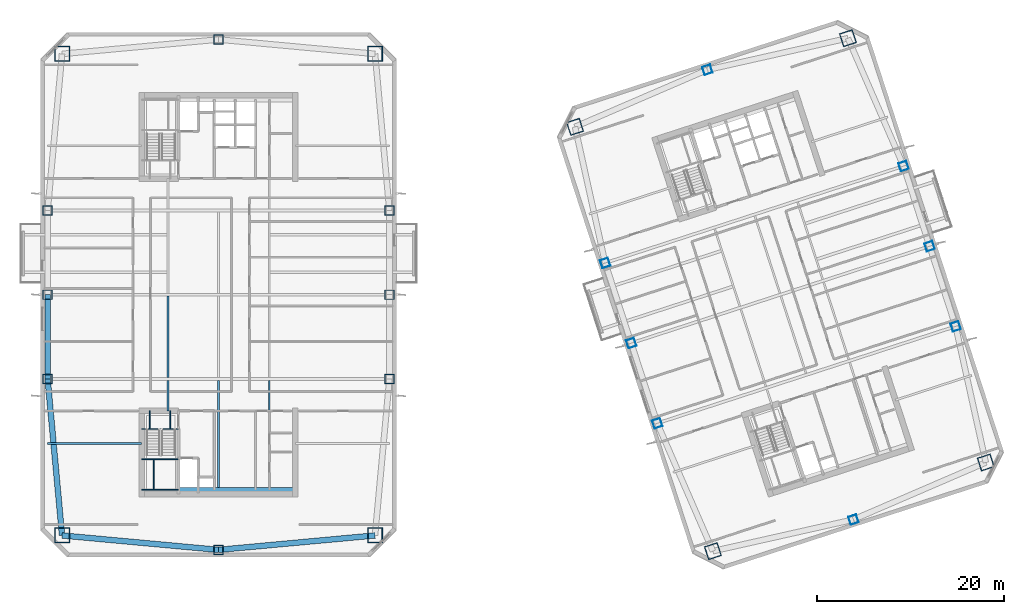
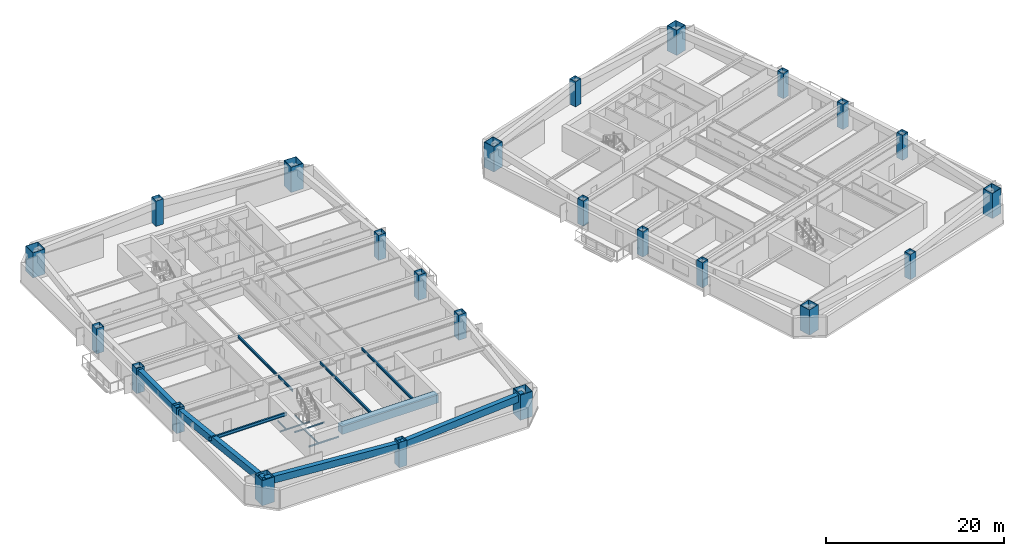
# One storey, part 1 of 23: 24 columns, 16 beams.
"""IFC4 building model written with IfcOpenShell, lengths in metres."""

import ifcopenshell
import ifcopenshell.guid

model = None  # the IFC model being written
_history = None  # IfcOwnerHistory: only IFC2X3 demands one
_inside = {}  # id of a spatial element -> (the spatial element, [elements in it])
_under = {}  # id of a project, library or spatial element -> (it, [spatial elements below it])
_declared = {}  # id of a project -> (the project, [libraries it declares])
_typed = {}  # id of a type object -> (the type object, [elements of that type])
_made_of = {}  # id of a material, layer set ... -> (it, [elements and type objects made of it])


def new_model(schema):
    """Start an empty IFC model of exactly this schema.

    Asked for "IFC4X3", IfcOpenShell would pick the latest addendum, in which some entities
    have other attributes; the version numbers below select the first issue.
    IFC2X3 requires an IfcOwnerHistory on every rooted entity: one is made here for all.
    """
    global model, _history
    if schema == "IFC4X3":
        model = ifcopenshell.file(schema_version=(4, 3, 0, 0))
    else:
        model = ifcopenshell.file(schema=schema)
    _inside.clear()
    _under.clear()
    _declared.clear()
    _typed.clear()
    _made_of.clear()
    _history = None
    if model.schema == "IFC2X3":
        org = make("IfcOrganization", Name="unknown")
        user = make(
            "IfcPersonAndOrganization",
            ThePerson=make("IfcPerson", FamilyName="unknown"),
            TheOrganization=org,
        )
        app = make(
            "IfcApplication",
            ApplicationDeveloper=org,
            Version="unknown",
            ApplicationFullName="unknown",
            ApplicationIdentifier="unknown",
        )
        _history = make(
            "IfcOwnerHistory",
            OwningUser=user,
            OwningApplication=app,
            ChangeAction="ADDED",
            CreationDate=0,
        )
    return model


def make(cls, **values):
    """One entity of the class cls with the attributes given. An attribute that is None is left unset."""
    return model.create_entity(
        cls, **{name: value for name, value in values.items() if value is not None}
    )


def rooted(cls, **values):
    """An entity with a GlobalId (a new one), such as an element, a storey or a relation."""
    return make(cls, GlobalId=ifcopenshell.guid.new(), OwnerHistory=_history, **values)


def si_unit(unit_type, name, prefix=None):
    """IfcSIUnit, for example si_unit("LENGTHUNIT", "METRE", prefix="MILLI")."""
    return make("IfcSIUnit", UnitType=unit_type, Prefix=prefix, Name=name)


def assignment(units):
    """IfcUnitAssignment: the units of a project."""
    return None if units is None else make("IfcUnitAssignment", Units=units)


def point(xyz):
    """IfcCartesianPoint."""
    return None if xyz is None else make("IfcCartesianPoint", Coordinates=xyz)


def direction(xyz):
    """IfcDirection."""
    return None if xyz is None else make("IfcDirection", DirectionRatios=xyz)


def frame(location, z_axis=None, x_axis=None):
    """IfcAxis2Placement3D, a coordinate frame: its origin and axes. An axis left out is left unset."""
    return make(
        "IfcAxis2Placement3D",
        Location=point(location),
        Axis=direction(z_axis),
        RefDirection=direction(x_axis),
    )


def frame_2d(location, x_axis=None):
    """IfcAxis2Placement2D, a coordinate frame in the plane: its origin and x axis."""
    return make(
        "IfcAxis2Placement2D", Location=point(location), RefDirection=direction(x_axis)
    )


def origin():
    """The frame at (0, 0, 0) with its axes left unset."""
    return frame((0.0, 0.0, 0.0))


def origin_2d():
    """The frame at (0, 0) in the plane with its x axis left unset."""
    return frame_2d((0.0, 0.0))


def place(relative_to, where):
    """IfcLocalPlacement: puts the frame where relative to a parent placement (None: the world)."""
    return make(
        "IfcLocalPlacement", PlacementRelTo=relative_to, RelativePlacement=where
    )


def context(
    kind, dimensions, precision=None, world=None, true_north=None, identifier=None
):
    """IfcGeometricRepresentationContext, for example the 3D "Model" context."""
    return make(
        "IfcGeometricRepresentationContext",
        ContextIdentifier=identifier,
        ContextType=kind,
        CoordinateSpaceDimension=dimensions,
        Precision=precision,
        WorldCoordinateSystem=world,
        TrueNorth=true_north,
    )


def subcontext(parent, identifier, kind, view, scale=None):
    """IfcGeometricRepresentationSubContext, for example "Body" below "Model"."""
    return make(
        "IfcGeometricRepresentationSubContext",
        ContextIdentifier=identifier,
        ContextType=kind,
        ParentContext=parent,
        TargetScale=scale,
        TargetView=view,
    )


def project(units=None, contexts=None):
    """IfcProject with its units and contexts."""
    return rooted(
        "IfcProject",
        Name="project",
        RepresentationContexts=contexts,
        UnitsInContext=assignment(units),
    )


def spatial(cls, under=None, at=None, **own):
    """A site, building, storey or space (cls), placed at a placement, below another one or the project."""
    s = rooted(cls, ObjectPlacement=at, **own)
    if under is not None:
        _under.setdefault(under.id(), (under, []))[1].append(s)
    return s


def profile(cls, at=None, kind="AREA", **sizes):
    """A parametric profile (cls). Its sizes go by their IFC names, for example OverallWidth=200.0."""
    return make(cls, ProfileType=kind, Position=at, **sizes)


def rectangle(**sizes):
    """IfcRectangleProfileDef."""
    return profile("IfcRectangleProfileDef", **sizes)


def hollow_rectangle(**sizes):
    """IfcRectangleHollowProfileDef."""
    return profile("IfcRectangleHollowProfileDef", **sizes)


def i_section(**sizes):
    """IfcIShapeProfileDef."""
    return profile("IfcIShapeProfileDef", **sizes)


def extrude(swept, where, along, depth):
    """IfcExtrudedAreaSolid: the profile swept, set in the frame where, extruded along a direction by depth."""
    return make(
        "IfcExtrudedAreaSolid",
        SweptArea=swept,
        Position=where,
        ExtrudedDirection=direction(along),
        Depth=depth,
    )


def shape(context_of_items, identifier, shape_type, items):
    """IfcShapeRepresentation: the items that make up one representation, for example the "Body"."""
    return make(
        "IfcShapeRepresentation",
        ContextOfItems=context_of_items,
        RepresentationIdentifier=identifier,
        RepresentationType=shape_type,
        Items=items,
    )


def material(Name=None, Category=None):
    """IfcMaterial."""
    return make("IfcMaterial", Name=Name, Category=Category)


def material_profile(
    of_material, cross_section, Name=None, Category=None, Priority=None
):
    """IfcMaterialProfile: a cross section and its material."""
    return make(
        "IfcMaterialProfile",
        Name=Name,
        Material=of_material,
        Profile=cross_section,
        Priority=Priority,
        Category=Category,
    )


def profile_set(profiles, Name=None, composite=None):
    """IfcMaterialProfileSet."""
    return make(
        "IfcMaterialProfileSet",
        Name=Name,
        MaterialProfiles=profiles,
        CompositeProfile=composite,
    )


def made_of(thing, what):
    """Note that an element or type object is made of a material, layer set ...; save() writes the relation."""
    if what is not None:
        _made_of.setdefault(what.id(), (what, []))[1].append(thing)
    return thing


def type_object(cls, material=None, **own):
    """A type object (cls), such as IfcWallType, which elements share."""
    return made_of(rooted(cls, **own), material)


def element(
    cls,
    number,
    at=None,
    inside=None,
    cuts=None,
    type_object=None,
    material=None,
    context=None,
    identifier="Body",
    shape_type=None,
    held_by="IfcProductDefinitionShape",
    body=None,
    shapes=None,
    **own,
):
    """One element of the class cls, such as IfcWall. Its Tag is "e" and its number.

    at: its placement. inside: the storey or other place that contains it. cuts: it is an
    opening in that element (IfcRelVoidsElement). A single representation is given by context,
    identifier, shape_type and body (its items); several are given by shapes. held_by: the class
    of the entity that holds the representations. save() writes the other relations.
    """
    e = rooted(cls, Tag="e%d" % number, ObjectPlacement=at, **own)
    if body is not None:
        shapes = [shape(context, identifier, shape_type, body)]
    if shapes is not None:
        e.Representation = make(held_by, Representations=shapes)
    if inside is not None:
        _inside.setdefault(inside.id(), (inside, []))[1].append(e)
    if cuts is not None:
        rooted(
            "IfcRelVoidsElement", RelatingBuildingElement=cuts, RelatedOpeningElement=e
        )
    if type_object is not None:
        _typed.setdefault(type_object.id(), (type_object, []))[1].append(e)
    return made_of(e, material)


def aggregate(whole, parts):
    """IfcRelAggregates: a whole, such as a stair, and the parts it consists of."""
    return rooted("IfcRelAggregates", RelatingObject=whole, RelatedObjects=parts)


def save(model, path):
    """Write the relations noted so far, then the file.

    IfcRelAggregates (storeys below a building ...), IfcRelContainedInSpatialStructure (elements
    in a storey), IfcRelDefinesByType, IfcRelAssociatesMaterial and IfcRelDeclares: one each for
    every whole, place, type object, material and project.
    """
    for whole, parts in _under.values():
        aggregate(whole, parts)
    for where, things in _inside.values():
        rooted(
            "IfcRelContainedInSpatialStructure",
            RelatedElements=things,
            RelatingStructure=where,
        )
    for kind, things in _typed.values():
        rooted("IfcRelDefinesByType", RelatedObjects=things, RelatingType=kind)
    for what, things in _made_of.values():
        rooted("IfcRelAssociatesMaterial", RelatedObjects=things, RelatingMaterial=what)
    for by, libraries in _declared.values():
        rooted("IfcRelDeclares", RelatingContext=by, RelatedDefinitions=libraries)
    model.write(path)


model = new_model("IFC4")

# Units and contexts
model_context = context("Model", 3, precision=1e-05, world=origin(), true_north=direction((0.0, 1.0)))
body_context = subcontext(model_context, "Body", "Model", "MODEL_VIEW")
ifc_project = project(units=[si_unit("LENGTHUNIT", "METRE"), si_unit("AREAUNIT", "SQUARE_METRE"), si_unit("VOLUMEUNIT", "CUBIC_METRE"), si_unit("PLANEANGLEUNIT", "RADIAN"), si_unit("MASSUNIT", "GRAM", prefix="KILO")], contexts=[model_context])

# Site, building, storey
site_placement = place(None, origin())
site = spatial("IfcSite", under=ifc_project, at=site_placement, CompositionType="ELEMENT")
building_placement = place(site_placement, origin())
building = spatial("IfcBuilding", under=site, at=building_placement, Name="Qiaolan Cultural Towers", CompositionType="ELEMENT")
storey_placement = place(building_placement, frame((0.0, 0.0, 100.050048828125)))
storey = spatial("IfcBuildingStorey", under=building, at=storey_placement, Name="L25", CompositionType="ELEMENT", Elevation=100.050048828125)

# Columns
ifc_material_1 = material(Name="Steel Q355B", Category="steel")
ifc_material_profile_1 = material_profile(ifc_material_1, hollow_rectangle(XDim=1.0, YDim=1.0, WallThickness=0.035888671875, at=origin_2d()), Name="BOX1000x1000x36")
ifc_profile_set_1 = profile_set([ifc_material_profile_1], Name="Steel Q355B")
column_type_1 = type_object("IfcColumnType", Name="COL-BOX1000x1000x36", PredefinedType="COLUMN", material=ifc_profile_set_1)
for number, where, z_axis, x_axis, name in (
    (1, (11.75, 25.0, 0.0), (0.0, 0.0, 1.0), (1.0, 0.0, 0.0), "L25 T1 Perimeter Column PC-W1"),
    (2, (11.75, 34.0, 0.0), (0.0, 0.0, 1.0), (1.0, 0.0, 0.0), "L25 T1 Perimeter Column PC-W2"),
    (3, (11.75, 43.0, 0.0), (0.0, 0.0, 1.0), (1.0, 0.0, 0.0), "L25 T1 Perimeter Column PC-W3"),
    (4, (48.25, 25.0, 0.0), (0.0, 0.0, 1.0), (1.0, 0.0, 0.0), "L25 T1 Perimeter Column PC-E1"),
    (5, (48.25, 34.0, 0.0), (0.0, 0.0, 1.0), (1.0, 0.0, 0.0), "L25 T1 Perimeter Column PC-E2"),
    (6, (48.25, 43.0, 0.0), (0.0, 0.0, 1.0), (1.0, 0.0, 0.0), "L25 T1 Perimeter Column PC-E3"),
    (7, (30.0, 6.75, 0.0), (0.0, 0.0, 1.0), (1.0, 0.0, 0.0), "L25 T1 Perimeter Column PC-S0"),
    (8, (30.0, 61.25, 0.0), (0.0, 0.0, 1.0), (1.0, 0.0, 0.0), "L25 T1 Perimeter Column PC-N0"),
):
    element("IfcColumn", number, at=place(storey_placement, frame(where, z_axis=z_axis, x_axis=x_axis)), inside=storey, type_object=column_type_1, Name=name, PredefinedType="COLUMN", context=body_context, shape_type="SweptSolid", body=[
        extrude(hollow_rectangle(XDim=1.0, YDim=1.0, WallThickness=0.035888671875, at=origin_2d()), origin(), (0.0, 0.0, 1.0), 3.450927734375),
    ])
ifc_material_2 = material(Name="Steel Q420GJB", Category="steel")
ifc_material_profile_2 = material_profile(ifc_material_2, hollow_rectangle(XDim=1.449951171875, YDim=1.449951171875, WallThickness=0.050048828125, at=origin_2d()), Name="BOX1450x1450x50")
ifc_profile_set_2 = profile_set([ifc_material_profile_2], Name="Steel Q420GJB")
column_type_2 = type_object("IfcColumnType", Name="COL-BOX1450x1450x50", PredefinedType="COLUMN", material=ifc_profile_set_2)
for number, where, z_axis, x_axis, name in (
    (9, (82.79052734375, 6.611572265625, 0.0), (0.0, 0.0, 1.0), (0.951056516295, 0.309016994375, 0.0), "L25 T2 Perimeter Column MC-SW"),
    (10, (111.930908203125, 16.080078125, 0.0), (0.0, 0.0, 1.0), (0.951056516295, 0.309016994375, 0.0), "L25 T2 Perimeter Column MC-SE"),
    (11, (97.20947265625, 61.388427734375, 0.0), (0.0, 0.0, 1.0), (0.951056516295, 0.309016994375, 0.0), "L25 T2 Perimeter Column MC-NE"),
    (12, (68.069091796875, 51.919921875, 0.0), (0.0, 0.0, 1.0), (0.951056516295, 0.309016994375, 0.0), "L25 T2 Perimeter Column MC-NW"),
):
    element("IfcColumn", number, at=place(storey_placement, frame(where, z_axis=z_axis, x_axis=x_axis)), inside=storey, type_object=column_type_2, Name=name, PredefinedType="COLUMN", context=body_context, shape_type="SweptSolid", body=[
        extrude(hollow_rectangle(XDim=1.449951171875, YDim=1.449951171875, WallThickness=0.050048828125, at=origin_2d()), origin(), (0.0, 0.0, 1.0), 3.450927734375),
    ])
ifc_material_3 = material(Name="Steel Q420GJB", Category="steel")
ifc_material_profile_3 = material_profile(ifc_material_3, hollow_rectangle(XDim=1.60009765625, YDim=1.60009765625, WallThickness=0.054931640625, at=origin_2d()), Name="BOX1600x1600x55")
ifc_profile_set_3 = profile_set([ifc_material_profile_3], Name="Steel Q420GJB")
column_type_3 = type_object("IfcColumnType", Name="COL-BOX1600x1600x55", PredefinedType="COLUMN", material=ifc_profile_set_3)
for number, where, z_axis, x_axis, name in (
    (13, (13.2900390625, 8.2900390625, 0.0), (0.0, 0.0, 1.0), (1.0, 0.0, 0.0), "L25 T1 Perimeter Column MC-SW"),
    (14, (46.7099609375, 8.2900390625, 0.0), (0.0, 0.0, 1.0), (1.0, 0.0, 0.0), "L25 T1 Perimeter Column MC-SE"),
    (15, (46.7099609375, 59.7099609375, 0.0), (0.0, 0.0, 1.0), (1.0, 0.0, 0.0), "L25 T1 Perimeter Column MC-NE"),
    (16, (13.2900390625, 59.7099609375, 0.0), (0.0, 0.0, 1.0), (1.0, 0.0, 0.0), "L25 T1 Perimeter Column MC-NW"),
):
    element("IfcColumn", number, at=place(storey_placement, frame(where, z_axis=z_axis, x_axis=x_axis)), inside=storey, type_object=column_type_3, Name=name, PredefinedType="COLUMN", context=body_context, shape_type="SweptSolid", body=[
        extrude(hollow_rectangle(XDim=1.60009765625, YDim=1.60009765625, WallThickness=0.054931640625, at=origin_2d()), origin(), (0.0, 0.0, 1.0), 3.450927734375),
    ])
ifc_material_4 = material(Name="Steel Q355B", Category="steel")
ifc_material_profile_4 = material_profile(ifc_material_4, hollow_rectangle(XDim=0.89990234375, YDim=0.89990234375, WallThickness=0.031982421875, at=origin_2d()), Name="BOX900x900x32")
ifc_profile_set_4 = profile_set([ifc_material_profile_4], Name="Steel Q355B")
column_type_4 = type_object("IfcColumnType", Name="COL-BOX900x900x32", PredefinedType="COLUMN", material=ifc_profile_set_4)
for number, where, z_axis, x_axis, name in (
    (17, (76.85107421875, 20.264404296875, 0.0), (0.0, 0.0, 1.0), (0.951056516295, 0.309016994375, 0.0), "L25 T2 Perimeter Column PC-W1"),
    (18, (74.06982421875, 28.823974609375, 0.0), (0.0, 0.0, 1.0), (0.951056516295, 0.309016994375, 0.0), "L25 T2 Perimeter Column PC-W2"),
    (19, (71.28857421875, 37.383544921875, 0.0), (0.0, 0.0, 1.0), (0.951056516295, 0.309016994375, 0.0), "L25 T2 Perimeter Column PC-W3"),
    (20, (108.71142578125, 30.616455078125, 0.0), (0.0, 0.0, 1.0), (0.951056516295, 0.309016994375, 0.0), "L25 T2 Perimeter Column PC-E1"),
    (21, (105.93017578125, 39.176025390625, 0.0), (0.0, 0.0, 1.0), (0.951056516295, 0.309016994375, 0.0), "L25 T2 Perimeter Column PC-E2"),
    (22, (103.14892578125, 47.735595703125, 0.0), (0.0, 0.0, 1.0), (0.951056516295, 0.309016994375, 0.0), "L25 T2 Perimeter Column PC-E3"),
    (23, (97.802734375, 9.98583984375, 0.0), (0.0, 0.0, 1.0), (0.951056516295, 0.309016994375, 0.0), "L25 T2 Perimeter Column PC-S0"),
    (24, (82.197265625, 58.01416015625, 0.0), (0.0, 0.0, 1.0), (0.951056516295, 0.309016994375, 0.0), "L25 T2 Perimeter Column PC-N0"),
):
    element("IfcColumn", number, at=place(storey_placement, frame(where, z_axis=z_axis, x_axis=x_axis)), inside=storey, type_object=column_type_4, Name=name, PredefinedType="COLUMN", context=body_context, shape_type="SweptSolid", body=[
        extrude(hollow_rectangle(XDim=0.89990234375, YDim=0.89990234375, WallThickness=0.031982421875, at=origin_2d()), origin(), (0.0, 0.0, 1.0), 3.450927734375),
    ])

# Beams
ifc_material_5 = material(Name="Steel Q355B", Category="steel")
ifc_material_profile_5 = material_profile(ifc_material_5, i_section(OverallWidth=0.175048828125, OverallDepth=0.35009765625, WebThickness=0.007080078125, FlangeThickness=0.010986328125, at=origin_2d()), Name="HN350x175x7x11")
ifc_profile_set_5 = profile_set([ifc_material_profile_5], Name="Steel Q355B")
beam_type_1 = type_object("IfcBeamType", Name="BM-JST-HN350x175x7x11", PredefinedType="JOIST", material=ifc_profile_set_5)
beam_1_placement = place(storey_placement, frame((24.60009765625, 21.60009765625, 3.014892578125), z_axis=(0.0, 1.0, 0.0), x_axis=(-1.0, 0.0, 0.0)))
element("IfcBeam", 25, at=beam_1_placement, inside=storey, type_object=beam_type_1, Name="L25 T1 Secondary Floor Joist U1-1", PredefinedType="JOIST", context=body_context, shape_type="SweptSolid", body=[
    extrude(i_section(OverallWidth=0.175048828125, OverallDepth=0.35009765625, WebThickness=0.007080078125, FlangeThickness=0.010986328125, at=origin_2d()), origin(), (0.0, 0.0, 1.0), 3.25),
])
beam_2_placement = place(storey_placement, frame((24.60009765625, 25.14990234375, 3.014892578125), z_axis=(0.0, 1.0, 0.0), x_axis=(-1.0, 0.0, 0.0)))
element("IfcBeam", 26, at=beam_2_placement, inside=storey, type_object=beam_type_1, Name="L25 T1 Secondary Floor Joist U1-2", PredefinedType="JOIST", context=body_context, shape_type="SweptSolid", body=[
    extrude(i_section(OverallWidth=0.175048828125, OverallDepth=0.35009765625, WebThickness=0.007080078125, FlangeThickness=0.010986328125, at=origin_2d()), origin(), (0.0, 0.0, 1.0), 8.7001953125),
])
for number, where, z_axis, x_axis, name in (
    (27, (30.0, 13.39990234375, 3.014892578125), (0.0, 1.0, 0.0), (-1.0, 0.0, 0.0), "L25 T1 Secondary Floor Joist U2-1"),
    (28, (35.39990234375, 13.39990234375, 3.014892578125), (0.0, 1.0, 0.0), (-1.0, 0.0, 0.0), "L25 T1 Secondary Floor Joist U3-1"),
):
    element("IfcBeam", number, at=place(storey_placement, frame(where, z_axis=z_axis, x_axis=x_axis)), inside=storey, type_object=beam_type_1, Name=name, PredefinedType="JOIST", context=body_context, shape_type="SweptSolid", body=[
        extrude(i_section(OverallWidth=0.175048828125, OverallDepth=0.35009765625, WebThickness=0.007080078125, FlangeThickness=0.010986328125, at=origin_2d()), origin(), (0.0, 0.0, 1.0), 11.4501953125),
    ])
ifc_material_6 = material(Name="Steel Q355B", Category="steel")
ifc_material_profile_6 = material_profile(ifc_material_6, i_section(OverallWidth=0.199951171875, OverallDepth=0.449951171875, WebThickness=0.009033203125, FlangeThickness=0.013916015625, at=origin_2d()), Name="HN450x200x9x14")
ifc_profile_set_6 = profile_set([ifc_material_profile_6], Name="Steel Q355B")
beam_type_2 = type_object("IfcBeamType", Name="BM-LNT-HN450x200x9x14", PredefinedType="LINTEL", material=ifc_profile_set_6)
beam_3_placement = place(storey_placement, frame((21.800048828125, 18.10009765625, 2.96484375), z_axis=(-1.0, 0.0, 0.0), x_axis=(0.0, -1.0, 0.0)))
element("IfcBeam", 29, at=beam_3_placement, inside=storey, type_object=beam_type_2, Name="L25 T1 Core Flank Tie Lintel WS", PredefinedType="LINTEL", context=body_context, shape_type="SweptSolid", body=[
    extrude(i_section(OverallWidth=0.199951171875, OverallDepth=0.449951171875, WebThickness=0.009033203125, FlangeThickness=0.013916015625, at=origin_2d()), origin(), (0.0, 0.0, 1.0), 10.050048828125),
])
ifc_material_7 = material(Name="Concrete C50", Category="concrete")
ifc_material_profile_7 = material_profile(ifc_material_7, rectangle(XDim=0.89990234375, YDim=1.10009765625, at=origin_2d()), Name="RC900x1100")
ifc_profile_set_7 = profile_set([ifc_material_profile_7], Name="Concrete C50")
beam_type_3 = type_object("IfcBeamType", Name="BM-RC900x1100", PredefinedType="BEAM", material=ifc_profile_set_7)
beam_4_placement = place(storey_placement, frame((25.719970703125, 12.949951171875, 2.639892578125), z_axis=(1.0, 0.0, 0.0), x_axis=(0.0, 1.0, 0.0)))
element("IfcBeam", 30, at=beam_4_placement, inside=storey, type_object=beam_type_3, Name="L25 T1 Core Header Girder S", PredefinedType="BEAM", context=body_context, shape_type="SweptSolid", body=[
    extrude(rectangle(XDim=0.89990234375, YDim=1.10009765625, at=origin_2d()), origin(), (0.0, 0.0, 1.0), 12.47998046875),
])
ifc_material_8 = material(Name="Concrete C50", Category="concrete")
ifc_material_profile_8 = material_profile(ifc_material_8, rectangle(XDim=0.60009765625, YDim=0.949951171875, at=origin_2d()), Name="RC600x950")
ifc_profile_set_8 = profile_set([ifc_material_profile_8], Name="Concrete C50")
beam_type_4 = type_object("IfcBeamType", Name="BM-SPD-RC600x950", PredefinedType="SPANDREL", material=ifc_profile_set_8)
for number, where, z_axis, x_axis, name in (
    (31, (13.2900390625, 8.2900390625, 2.71484375), (0.995779862064, -0.09177399582, 0.0), (0.09177399582, 0.995779862064, 0.0), "L25 T1 Perimeter Spandrel Beam 1"),
    (32, (30.0, 6.75, 2.71484375), (0.995779862064, 0.09177399582, 0.0), (-0.09177399582, 0.995779862064, 0.0), "L25 T1 Perimeter Spandrel Beam 2"),
):
    element("IfcBeam", number, at=place(storey_placement, frame(where, z_axis=z_axis, x_axis=x_axis)), inside=storey, type_object=beam_type_4, Name=name, PredefinedType="SPANDREL", context=body_context, shape_type="SweptSolid", body=[
        extrude(rectangle(XDim=0.60009765625, YDim=0.949951171875, at=origin_2d()), origin(), (0.0, 0.0, 1.0), 16.78076171875),
    ])
beam_5_placement = place(storey_placement, frame((11.75, 34.0, 2.71484375), z_axis=(0.0, -1.0, 0.0), x_axis=(1.0, 0.0, 0.0)))
element("IfcBeam", 33, at=beam_5_placement, inside=storey, type_object=beam_type_4, Name="L25 T1 Perimeter Spandrel Beam 11", PredefinedType="SPANDREL", context=body_context, shape_type="SweptSolid", body=[
    extrude(rectangle(XDim=0.60009765625, YDim=0.949951171875, at=origin_2d()), origin(), (0.0, 0.0, 1.0), 9.0),
])
beam_6_placement = place(storey_placement, frame((11.75, 25.0, 2.71484375), z_axis=(0.09177399582, -0.995779862064, 0.0), x_axis=(0.995779862064, 0.09177399582, 0.0)))
element("IfcBeam", 34, at=beam_6_placement, inside=storey, type_object=beam_type_4, Name="L25 T1 Perimeter Spandrel Beam 12", PredefinedType="SPANDREL", context=body_context, shape_type="SweptSolid", body=[
    extrude(rectangle(XDim=0.60009765625, YDim=0.949951171875, at=origin_2d()), origin(), (0.0, 0.0, 1.0), 16.78076171875),
])
ifc_material_9 = material(Name="Steel Q355B", Category="steel")
ifc_material_profile_9 = material_profile(ifc_material_9, i_section(OverallWidth=0.10009765625, OverallDepth=0.199951171875, WebThickness=0.005615234375, FlangeThickness=0.008056640625, at=origin_2d()), Name="HN200x100x5.5x8")
ifc_profile_set_9 = profile_set([ifc_material_profile_9], Name="Steel Q355B")
beam_type_5 = type_object("IfcBeamType", Name="BM-STTRIM-200", PredefinedType="BEAM", material=ifc_profile_set_9)
beam_7_placement = place(storey_placement, frame((21.800048828125, 19.659912109375, -0.4599609375), z_axis=(1.0, 0.0, 0.0), x_axis=(0.0, 1.0, 0.0)))
element("IfcBeam", 35, at=beam_7_placement, inside=storey, type_object=beam_type_5, Name="L25 ST-W1 Floor Landing Header Beam", PredefinedType="BEAM", context=body_context, shape_type="SweptSolid", body=[
    extrude(i_section(OverallWidth=0.10009765625, OverallDepth=0.199951171875, WebThickness=0.005615234375, FlangeThickness=0.008056640625, at=origin_2d()), origin(), (0.0, 0.0, 1.0), 3.919921875),
])
for number, where, z_axis, x_axis, name in (
    (36, (22.64990234375, 21.60009765625, -0.4599609375), (0.0, -1.0, 0.0), (1.0, 0.0, 0.0), "L25 ST-W1 Floor Landing Stringer 1"),
    (37, (24.85009765625, 21.60009765625, -0.4599609375), (0.0, -1.0, 0.0), (1.0, 0.0, 0.0), "L25 ST-W1 Floor Landing Stringer 2"),
):
    element("IfcBeam", number, at=place(storey_placement, frame(where, z_axis=z_axis, x_axis=x_axis)), inside=storey, type_object=beam_type_5, Name=name, PredefinedType="BEAM", context=body_context, shape_type="SweptSolid", body=[
        extrude(i_section(OverallWidth=0.10009765625, OverallDepth=0.199951171875, WebThickness=0.005615234375, FlangeThickness=0.008056640625, at=origin_2d()), origin(), (0.0, 0.0, 1.0), 1.940185546875),
    ])
for number, where, z_axis, x_axis, name in (
    (38, (21.800048828125, 16.411376953125, 1.425048828125), (1.0, 0.0, 0.0), (0.0, 1.0, 0.0), "L25 ST-W1 Stair Landing Support Beam 1-1"),
    (39, (21.800048828125, 13.179931640625, 1.425048828125), (1.0, 0.0, 0.0), (0.0, 1.0, 0.0), "L25 ST-W1 Stair Landing Support Beam 1-2"),
):
    element("IfcBeam", number, at=place(storey_placement, frame(where, z_axis=z_axis, x_axis=x_axis)), inside=storey, type_object=beam_type_5, Name=name, PredefinedType="BEAM", context=body_context, shape_type="SweptSolid", body=[
        extrude(i_section(OverallWidth=0.10009765625, OverallDepth=0.199951171875, WebThickness=0.005615234375, FlangeThickness=0.008056640625, at=origin_2d()), origin(), (0.0, 0.0, 1.0), 3.919921875),
    ])
beam_8_placement = place(storey_placement, frame((23.070068359375, 16.411376953125, 1.425048828125), z_axis=(0.0, -1.0, 0.0), x_axis=(1.0, 0.0, 0.0)))
element("IfcBeam", 40, at=beam_8_placement, inside=storey, type_object=beam_type_5, Name="L25 ST-W1 Stair Landing Trimmer 1", PredefinedType="BEAM", context=body_context, shape_type="SweptSolid", body=[
    extrude(i_section(OverallWidth=0.10009765625, OverallDepth=0.199951171875, WebThickness=0.005615234375, FlangeThickness=0.008056640625, at=origin_2d()), origin(), (0.0, 0.0, 1.0), 3.2314453125),
])

save(model, "model.ifc")
